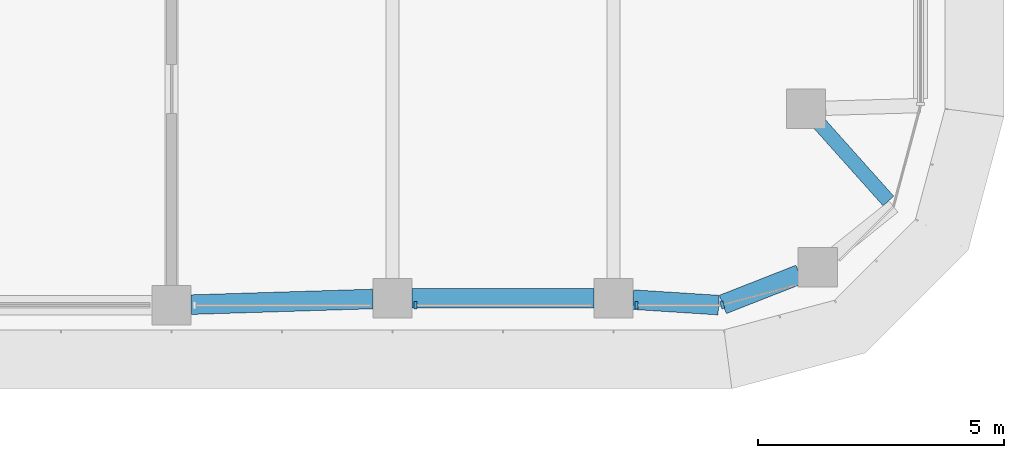
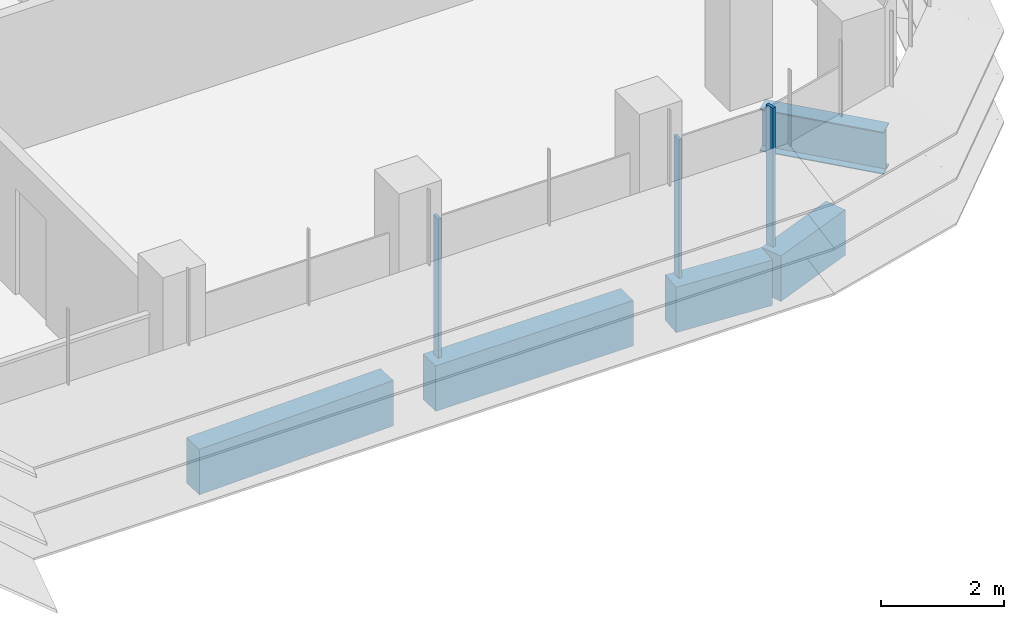
# One storey, part 5 of 20: 5 beams, 3 members, 2 elements without a shape of their own.
"""IFC4 building model written with IfcOpenShell, lengths in metres."""

from ifc_helpers import new_model, si_unit, direction, frame, origin, origin_2d, place, context, subcontext, project, spatial, polyline, rectangle, i_section, outline, extrude, source, transform, mapped, material, material_profile, profile_set, type_object, element, aggregate, save


model = new_model("IFC4")

# Units and contexts
model_context = context("Model", 3, precision=1e-05, world=origin(), true_north=direction((0.0, 1.0)))
body_context = subcontext(model_context, "Body", "Model", "MODEL_VIEW")
ifc_project = project(units=[si_unit("LENGTHUNIT", "METRE"), si_unit("AREAUNIT", "SQUARE_METRE"), si_unit("VOLUMEUNIT", "CUBIC_METRE"), si_unit("PLANEANGLEUNIT", "RADIAN"), si_unit("MASSUNIT", "GRAM", prefix="KILO")], contexts=[model_context])

# Site, building, storey
site_placement = place(None, origin())
site = spatial("IfcSite", under=ifc_project, at=site_placement, CompositionType="ELEMENT")
building_placement = place(site_placement, origin())
building = spatial("IfcBuilding", under=site, at=building_placement, Name="Zarbagh Exchange Tower", CompositionType="ELEMENT")
storey_placement = place(building_placement, frame((0.0, 0.0, 156.199951171875)))
storey = spatial("IfcBuildingStorey", under=building, at=storey_placement, Name="L37", CompositionType="ELEMENT", Elevation=156.199951171875)

# Beams
ifc_material_1 = material(Name="Steel ASTM A992 Gr 50", Category="steel")
ifc_material_profile_1 = material_profile(ifc_material_1, i_section(OverallWidth=0.2919921875, OverallDepth=0.835693359375, WebThickness=0.013916015625, FlangeThickness=0.018798828125, at=origin_2d()), Name="W33X118")
ifc_profile_set_1 = profile_set([ifc_material_profile_1], Name="Steel ASTM A992 Gr 50")
beam_type_1 = type_object("IfcBeamType", Name="Floor girder W33X118", PredefinedType="BEAM", material=ifc_profile_set_1)
beam_1_placement = place(storey_placement, frame((28.9365234375, -2.54833984375, -0.56787109375), z_axis=(0.666238158503, -0.745739040251, 0.0), x_axis=(0.745739040251, 0.666238158503, 0.0)))
element("IfcBeam", 1, at=beam_1_placement, inside=storey, type_object=beam_type_1, Name="Steel girder", PredefinedType="BEAM", context=body_context, shape_type="SweptSolid", body=[
    extrude(i_section(OverallWidth=0.2919921875, OverallDepth=0.835693359375, WebThickness=0.013916015625, FlangeThickness=0.018798828125, at=origin_2d()), origin(), (0.0, 0.0, 1.0), 2.115966796875),
])
ifc_material_2 = material(Name="Concrete C50/60", Category="concrete")
ifc_material_profile_2 = material_profile(ifc_material_2, rectangle(XDim=0.39990234375, YDim=0.89990234375, at=origin_2d()), Name="RC spandrel beam 400 x 900 C50/60")
ifc_profile_set_2 = profile_set([ifc_material_profile_2], Name="Concrete C50/60")
beam_type_2 = type_object("IfcBeamType", Name="RC spandrel beam 400 x 900 C50/60", PredefinedType="SPANDREL", material=ifc_profile_set_2)
beam_2_placement = place(storey_placement, frame((28.53564453125, -5.62109375, -0.599853515625), z_axis=(-0.930818758612, -0.36548110569, 0.0), x_axis=(0.36548110569, -0.930818758612, 0.0)))
element("IfcBeam", 2, at=beam_2_placement, inside=storey, type_object=beam_type_2, Name="RC spandrel beam", PredefinedType="SPANDREL", context=body_context, shape_type="SweptSolid", body=[
    extrude(rectangle(XDim=0.39990234375, YDim=0.89990234375, at=origin_2d()), origin(), (0.0, 0.0, 1.0), 1.676025390625),
])
beam_3_placement = place(storey_placement, frame((26.8896484375, -6.247314453125, -0.599853515625), z_axis=(-0.997942679773, 0.064112462805, 0.0), x_axis=(-0.064112462805, -0.997942679773, 0.0)))
element("IfcBeam", 3, at=beam_3_placement, inside=storey, type_object=beam_type_2, Name="RC spandrel beam", PredefinedType="SPANDREL", context=body_context, shape_type="SweptSolid", body=[
    extrude(rectangle(XDim=0.39990234375, YDim=0.89990234375, at=origin_2d()), origin(), (0.0, 0.0, 1.0), 1.744140625),
])
beam_4_placement = place(storey_placement, frame((24.35009765625, -6.110107421875, -0.599853515625), z_axis=(-1.0, 0.0, 0.0), x_axis=(0.0, -1.0, 0.0)))
element("IfcBeam", 4, at=beam_4_placement, inside=storey, type_object=beam_type_2, Name="RC spandrel beam", PredefinedType="SPANDREL", context=body_context, shape_type="SweptSolid", body=[
    extrude(rectangle(XDim=0.39990234375, YDim=0.89990234375, at=origin_2d()), origin(), (0.0, 0.0, 1.0), 3.7001953125),
])
beam_5_placement = place(storey_placement, frame((19.85009765625, -6.122314453125, -0.599853515625), z_axis=(-0.999515416033, -0.031127690444, 0.0), x_axis=(0.031127690444, -0.999515416033, 0.0)))
element("IfcBeam", 5, at=beam_5_placement, inside=storey, type_object=beam_type_2, Name="RC spandrel beam", PredefinedType="SPANDREL", context=body_context, shape_type="SweptSolid", body=[
    extrude(rectangle(XDim=0.39990234375, YDim=0.89990234375, at=origin_2d()), origin(), (0.0, 0.0, 1.0), 3.701904296875),
])

# Curtain wall, members
ifc_material_3 = material(Name="Anodised aluminium frame and glazing", Category="aluminium")
curtain_wall_type = type_object("IfcCurtainWallType", Name="CWB Ribbon glazing, upper zones", PredefinedType="NOTDEFINED", material=ifc_material_3)
curtain_wall_1_placement = place(storey_placement, origin())
curtain_wall_1 = element("IfcCurtainWall", 6, at=curtain_wall_1_placement, inside=storey, type_object=curtain_wall_type, Name="CWB08 curtain wall", PredefinedType="NOTDEFINED")
ifc_material_4 = material(Name="Anodised aluminium frame", Category="aluminium")
member_type = type_object("IfcMemberType", Name="MUB Mullion, anodised aluminium frame", PredefinedType="MULLION", material=ifc_material_4)
shared_shape = source(origin(), body_context, "Body", "SweptSolid", [
    extrude(outline(polyline([(0.0, -0.080078125), (0.06005859375, -0.080078125), (0.06005859375, 0.080078125), (0.0, 0.080078125), (0.0, -0.080078125)])), origin(), (0.0, 0.0, 1.0), 2.75),
])
placement = place(storey_placement, origin())
member_1 = element("IfcMember", 7, at=placement, type_object=member_type, Name="CWB08 mullion 3.1", PredefinedType="MULLION", context=body_context, shape_type="MappedRepresentation", body=[
    mapped(shared_shape, transform((20.68994140625, -6.25, 0.0), x_axis=(1.0, 0.0, 0.0), y_axis=(0.0, 1.0, 0.0), z_axis=(0.0, 0.0, 1.0))),
])
member_2 = element("IfcMember", 8, at=placement, type_object=member_type, Name="CWB08 mullion 4.1", PredefinedType="MULLION", context=body_context, shape_type="MappedRepresentation", body=[
    mapped(shared_shape, transform((25.18994140625, -6.25, 0.0), x_axis=(1.0, 0.0, 0.0), y_axis=(0.0, 1.0, 0.0), z_axis=(0.0, 0.0, 1.0))),
])
aggregate(curtain_wall_1, [member_1, member_2])

# Curtain wall, member
curtain_wall_2_placement = place(storey_placement, origin())
curtain_wall_2 = element("IfcCurtainWall", 9, at=curtain_wall_2_placement, inside=storey, type_object=curtain_wall_type, Name="CWB09 curtain wall", PredefinedType="NOTDEFINED")
member_3 = element("IfcMember", 10, at=placement, type_object=member_type, Name="CWB09 mullion 1.1", PredefinedType="MULLION", context=body_context, shape_type="MappedRepresentation", body=[
    mapped(shared_shape, transform((26.93408203125, -6.25, 0.0), x_axis=(0.965924289636, 0.258824779902, 0.0), y_axis=(-0.258824779902, 0.965924289636, 0.0), z_axis=(0.0, 0.0, 1.0))),
])
aggregate(curtain_wall_2, [member_3])

save(model, "model.ifc")
